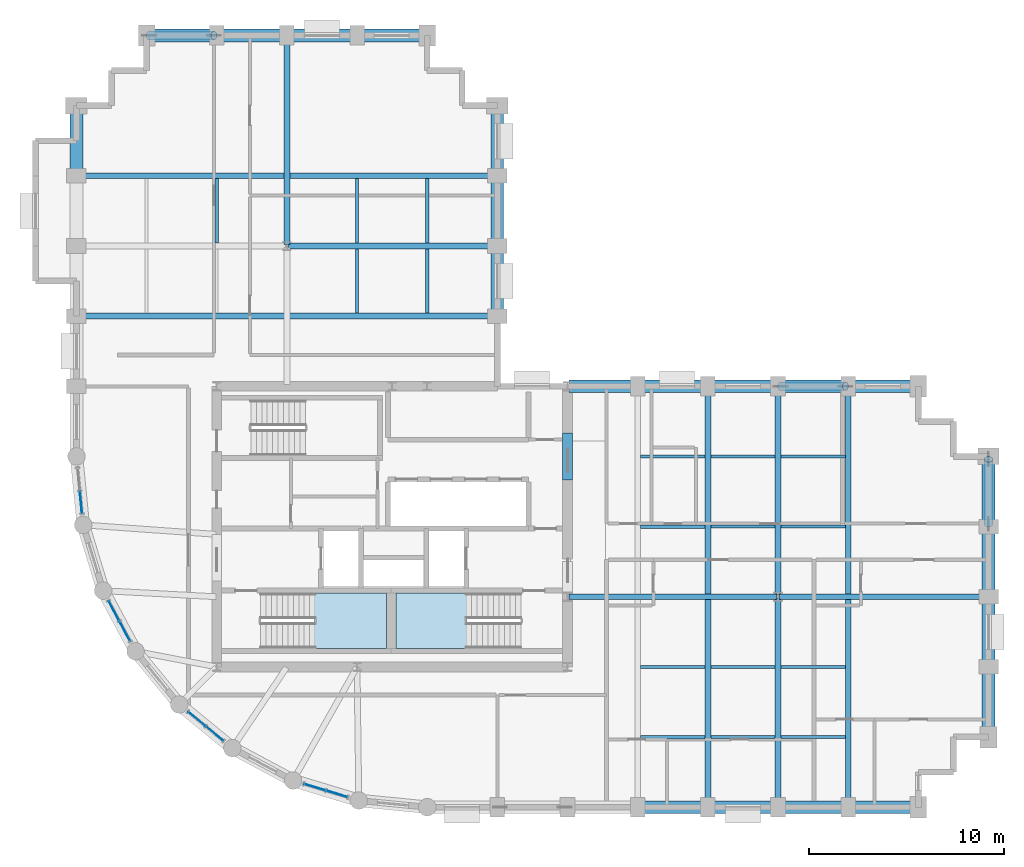
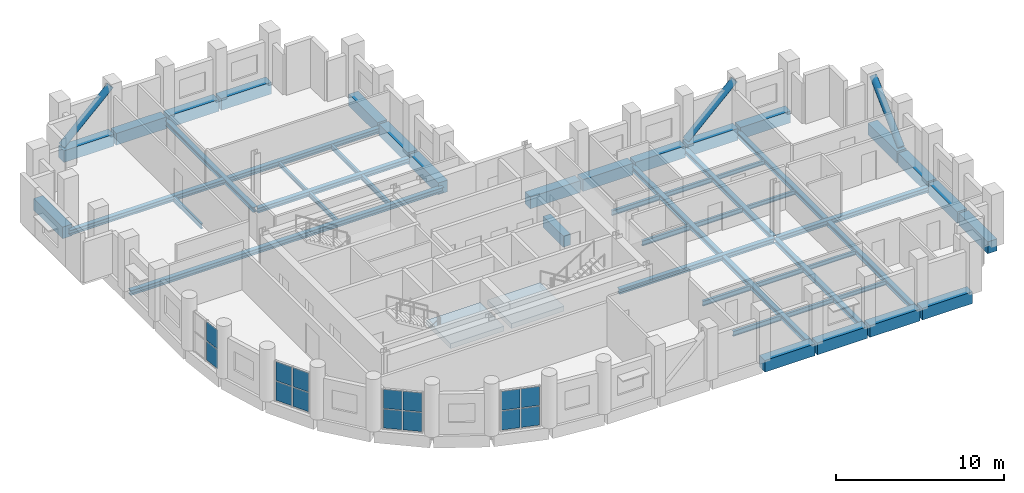
# One storey, part 6 of 14: 49 beams, 14 plates, 3 members, 2 slabs, 6 elements without a shape of their own.
"""IFC4 building model written with IfcOpenShell, lengths in metres."""

from ifc_helpers import new_model, si_unit, direction, frame, origin, origin_2d, place, context, subcontext, project, spatial, polyline, rectangle, hollow_circle, i_section, outline, extrude, material, layer, layer_set, material_profile, profile_set, type_object, element, aggregate, save


model = new_model("IFC4")

# Units and contexts
model_context = context("Model", 3, precision=1e-05, world=origin(), true_north=direction((0.0, 1.0)))
body_context = subcontext(model_context, "Body", "Model", "MODEL_VIEW")
ifc_project = project(units=[si_unit("LENGTHUNIT", "METRE"), si_unit("AREAUNIT", "SQUARE_METRE"), si_unit("VOLUMEUNIT", "CUBIC_METRE"), si_unit("PLANEANGLEUNIT", "RADIAN"), si_unit("MASSUNIT", "GRAM", prefix="KILO")], contexts=[model_context])

# Site, building, storey
site_placement = place(None, origin())
site = spatial("IfcSite", under=ifc_project, at=site_placement, CompositionType="ELEMENT")
building_placement = place(site_placement, origin())
building = spatial("IfcBuilding", under=site, at=building_placement, Name="Solnavia Interchange Tower", CompositionType="ELEMENT")
storey_placement = place(building_placement, frame((0.0, 0.0, 158.0)))
storey = spatial("IfcBuildingStorey", under=building, at=storey_placement, Name="L39", CompositionType="ELEMENT", Elevation=158.0)

# Beams
ifc_material_1 = material(Name="Concrete C50/60", Category="concrete")
ifc_material_profile_1 = material_profile(ifc_material_1, rectangle(XDim=0.5, YDim=0.800048828125, at=origin_2d()), Name="RC 500x800")
ifc_profile_set_1 = profile_set([ifc_material_profile_1], Name="Concrete C50/60")
beam_type_1 = type_object("IfcBeamType", Name="Beam-Coupling-RC500x800", PredefinedType="LINTEL", material=ifc_profile_set_1)
beam_1_placement = place(storey_placement, frame((32.39990234375, 20.39990234375, -0.39990234375), z_axis=(0.0, 1.0, 0.0), x_axis=(-1.0, 0.0, 0.0)))
element("IfcBeam", 1, at=beam_1_placement, inside=storey, type_object=beam_type_1, Name="CPB-L39-E2 Core coupling lintel beam", PredefinedType="LINTEL", context=body_context, shape_type="SweptSolid", body=[
    extrude(rectangle(XDim=0.5, YDim=0.800048828125, at=origin_2d()), origin(), (0.0, 0.0, 1.0), 2.400146484375),
])
ifc_material_2 = material(Name="Steel S460", Category="steel")
ifc_material_profile_2 = material_profile(ifc_material_2, i_section(OverallWidth=0.300048828125, OverallDepth=0.360107421875, WebThickness=0.012451171875, FlangeThickness=0.0224609375, FilletRadius=0.027099609375, at=origin_2d()), Name="HEB 360")
ifc_profile_set_2 = profile_set([ifc_material_profile_2], Name="Steel S460")
beam_type_2 = type_object("IfcBeamType", Name="Beam-Girder-HEB360", PredefinedType="BEAM", material=ifc_profile_set_2)
beam_2_placement = place(storey_placement, frame((32.47998046875, 14.39990234375, -0.429931640625), z_axis=(1.0, 0.0, 0.0), x_axis=(0.0, 1.0, 0.0)))
element("IfcBeam", 2, at=beam_2_placement, inside=storey, type_object=beam_type_2, Name="GRD-L39-ES01 East wing spine girder", PredefinedType="BEAM", context=body_context, shape_type="SweptSolid", body=[
    extrude(i_section(OverallWidth=0.300048828125, OverallDepth=0.360107421875, WebThickness=0.012451171875, FlangeThickness=0.0224609375, FilletRadius=0.027099609375, at=origin_2d()), origin(), (0.0, 0.0, 1.0), 10.64013671875),
])
beam_3_placement = place(storey_placement, frame((43.280029296875, 14.39990234375, -0.429931640625), z_axis=(1.0, 0.0, 0.0), x_axis=(0.0, 1.0, 0.0)))
element("IfcBeam", 3, at=beam_3_placement, inside=storey, type_object=beam_type_2, Name="GRD-L39-ES02 East wing spine girder", PredefinedType="BEAM", context=body_context, shape_type="SweptSolid", body=[
    extrude(i_section(OverallWidth=0.300048828125, OverallDepth=0.360107421875, WebThickness=0.012451171875, FlangeThickness=0.0224609375, FilletRadius=0.027099609375, at=origin_2d()), origin(), (0.0, 0.0, 1.0), 10.639892578125),
])
for number, where, z_axis, x_axis, name in (
    (4, (39.60009765625, 3.679931640625, -0.429931640625), (0.0, 1.0, 0.0), (-1.0, 0.0, 0.0), "GRD-L39-EW04 East wing primary floor girder"),
    (5, (46.800048828125, 3.679931640625, -0.429931640625), (0.0, 1.0, 0.0), (-1.0, 0.0, 0.0), "GRD-L39-EW07 East wing primary floor girder"),
):
    element("IfcBeam", number, at=place(storey_placement, frame(where, z_axis=z_axis, x_axis=x_axis)), inside=storey, type_object=beam_type_2, Name=name, PredefinedType="BEAM", context=body_context, shape_type="SweptSolid", body=[
        extrude(i_section(OverallWidth=0.300048828125, OverallDepth=0.360107421875, WebThickness=0.012451171875, FlangeThickness=0.0224609375, FilletRadius=0.027099609375, at=origin_2d()), origin(), (0.0, 0.0, 1.0), 21.440185546875),
    ])
beam_4_placement = place(storey_placement, frame((18.0, 32.47998046875, -0.429931640625), z_axis=(0.0, 1.0, 0.0), x_axis=(-1.0, 0.0, 0.0)))
element("IfcBeam", 6, at=beam_4_placement, inside=storey, type_object=beam_type_2, Name="GRD-L39-NS09 North wing spine girder", PredefinedType="BEAM", context=body_context, shape_type="SweptSolid", body=[
    extrude(i_section(OverallWidth=0.300048828125, OverallDepth=0.360107421875, WebThickness=0.012451171875, FlangeThickness=0.0224609375, FilletRadius=0.027099609375, at=origin_2d()), origin(), (0.0, 0.0, 1.0), 10.64013671875),
])
for number, where, z_axis, x_axis, name in (
    (7, (7.280029296875, 28.800048828125, -0.429931640625), (1.0, 0.0, 0.0), (0.0, 1.0, 0.0), "GRD-L39-NW10 North wing primary floor girder"),
    (8, (7.280029296875, 36.0, -0.429931640625), (1.0, 0.0, 0.0), (0.0, 1.0, 0.0), "GRD-L39-NW13 North wing primary floor girder"),
):
    element("IfcBeam", number, at=place(storey_placement, frame(where, z_axis=z_axis, x_axis=x_axis)), inside=storey, type_object=beam_type_2, Name=name, PredefinedType="BEAM", context=body_context, shape_type="SweptSolid", body=[
        extrude(i_section(OverallWidth=0.300048828125, OverallDepth=0.360107421875, WebThickness=0.012451171875, FlangeThickness=0.0224609375, FilletRadius=0.027099609375, at=origin_2d()), origin(), (0.0, 0.0, 1.0), 21.43994140625),
    ])
ifc_material_3 = material(Name="Steel S355", Category="steel")
ifc_material_profile_3 = material_profile(ifc_material_3, i_section(OverallWidth=0.14990234375, OverallDepth=0.300048828125, WebThickness=0.007080078125, FlangeThickness=0.0107421875, FilletRadius=0.014892578125, at=origin_2d()), Name="IPE 300")
ifc_profile_set_3 = profile_set([ifc_material_profile_3], Name="Steel S355")
beam_type_3 = type_object("IfcBeamType", Name="Beam-Joist-IPE300", PredefinedType="JOIST", material=ifc_profile_set_3)
for number, where, z_axis, x_axis, name in (
    (9, (43.35009765625, 7.199951171875, -0.39990234375), (1.0, 0.0, 0.0), (0.0, 1.0, 0.0), "JST-L39-E03 East wing secondary joist"),
    (10, (43.35009765625, 10.800048828125, -0.39990234375), (1.0, 0.0, 0.0), (0.0, 1.0, 0.0), "JST-L39-E06 East wing secondary joist"),
    (11, (43.35009765625, 18.0, -0.39990234375), (1.0, 0.0, 0.0), (0.0, 1.0, 0.0), "JST-L39-E09 East wing secondary joist"),
    (12, (43.35009765625, 21.60009765625, -0.39990234375), (1.0, 0.0, 0.0), (0.0, 1.0, 0.0), "JST-L39-E12 East wing secondary joist"),
):
    element("IfcBeam", number, at=place(storey_placement, frame(where, z_axis=z_axis, x_axis=x_axis)), inside=storey, type_object=beam_type_3, Name=name, PredefinedType="JOIST", context=body_context, shape_type="SweptSolid", body=[
        extrude(i_section(OverallWidth=0.14990234375, OverallDepth=0.300048828125, WebThickness=0.007080078125, FlangeThickness=0.0107421875, FilletRadius=0.014892578125, at=origin_2d()), origin(), (0.0, 0.0, 1.0), 3.2998046875),
    ])
beam_5_placement = place(storey_placement, frame((21.60009765625, 32.550048828125, -0.39990234375), z_axis=(0.0, 1.0, 0.0), x_axis=(-1.0, 0.0, 0.0)))
element("IfcBeam", 13, at=beam_5_placement, inside=storey, type_object=beam_type_3, Name="JST-L39-N18 North wing secondary joist", PredefinedType="JOIST", context=body_context, shape_type="SweptSolid", body=[
    extrude(i_section(OverallWidth=0.14990234375, OverallDepth=0.300048828125, WebThickness=0.007080078125, FlangeThickness=0.0107421875, FilletRadius=0.014892578125, at=origin_2d()), origin(), (0.0, 0.0, 1.0), 3.300048828125),
])
ifc_material_profile_4 = material_profile(ifc_material_3, i_section(OverallWidth=0.159912109375, OverallDepth=0.330078125, WebThickness=0.007568359375, FlangeThickness=0.011474609375, FilletRadius=0.01806640625, at=origin_2d()), Name="IPE 330")
ifc_profile_set_4 = profile_set([ifc_material_profile_4], Name="Steel S355")
beam_type_4 = type_object("IfcBeamType", Name="Beam-Joist-IPE330", PredefinedType="JOIST", material=ifc_profile_set_4)
for number, where, z_axis, x_axis, name in (
    (14, (39.75, 7.199951171875, -0.4150390625), (1.0, 0.0, 0.0), (0.0, 1.0, 0.0), "JST-L39-E02 East wing secondary joist"),
    (15, (39.75, 10.800048828125, -0.4150390625), (1.0, 0.0, 0.0), (0.0, 1.0, 0.0), "JST-L39-E05 East wing secondary joist"),
    (16, (39.75, 18.0, -0.4150390625), (1.0, 0.0, 0.0), (0.0, 1.0, 0.0), "JST-L39-E08 East wing secondary joist"),
    (17, (39.75, 21.60009765625, -0.4150390625), (1.0, 0.0, 0.0), (0.0, 1.0, 0.0), "JST-L39-E11 East wing secondary joist"),
    (18, (21.60009765625, 28.949951171875, -0.4150390625), (0.0, 1.0, 0.0), (-1.0, 0.0, 0.0), "JST-L39-N17 North wing secondary joist"),
    (19, (25.199951171875, 32.550048828125, -0.4150390625), (0.0, 1.0, 0.0), (-1.0, 0.0, 0.0), "JST-L39-N20 North wing secondary joist"),
):
    element("IfcBeam", number, at=place(storey_placement, frame(where, z_axis=z_axis, x_axis=x_axis)), inside=storey, type_object=beam_type_4, Name=name, PredefinedType="JOIST", context=body_context, shape_type="SweptSolid", body=[
        extrude(i_section(OverallWidth=0.159912109375, OverallDepth=0.330078125, WebThickness=0.007568359375, FlangeThickness=0.011474609375, FilletRadius=0.01806640625, at=origin_2d()), origin(), (0.0, 0.0, 1.0), 3.300048828125),
    ])
ifc_material_profile_5 = material_profile(ifc_material_3, i_section(OverallWidth=0.169921875, OverallDepth=0.360107421875, WebThickness=0.008056640625, FlangeThickness=0.0126953125, FilletRadius=0.01806640625, at=origin_2d()), Name="IPE 360")
ifc_profile_set_5 = profile_set([ifc_material_profile_5], Name="Steel S355")
beam_type_5 = type_object("IfcBeamType", Name="Beam-Joist-IPE360", PredefinedType="JOIST", material=ifc_profile_set_5)
for number, where, z_axis, x_axis, name in (
    (20, (36.14990234375, 7.199951171875, -0.429931640625), (1.0, 0.0, 0.0), (0.0, 1.0, 0.0), "JST-L39-E01 East wing secondary joist"),
    (21, (36.14990234375, 10.800048828125, -0.429931640625), (1.0, 0.0, 0.0), (0.0, 1.0, 0.0), "JST-L39-E04 East wing secondary joist"),
    (22, (36.14990234375, 18.0, -0.429931640625), (1.0, 0.0, 0.0), (0.0, 1.0, 0.0), "JST-L39-E07 East wing secondary joist"),
    (23, (36.14990234375, 21.60009765625, -0.429931640625), (1.0, 0.0, 0.0), (0.0, 1.0, 0.0), "JST-L39-E10 East wing secondary joist"),
    (24, (14.39990234375, 32.550048828125, -0.429931640625), (0.0, 1.0, 0.0), (-1.0, 0.0, 0.0), "JST-L39-N16 North wing secondary joist"),
    (25, (25.199951171875, 28.949951171875, -0.429931640625), (0.0, 1.0, 0.0), (-1.0, 0.0, 0.0), "JST-L39-N19 North wing secondary joist"),
):
    element("IfcBeam", number, at=place(storey_placement, frame(where, z_axis=z_axis, x_axis=x_axis)), inside=storey, type_object=beam_type_5, Name=name, PredefinedType="JOIST", context=body_context, shape_type="SweptSolid", body=[
        extrude(i_section(OverallWidth=0.169921875, OverallDepth=0.360107421875, WebThickness=0.008056640625, FlangeThickness=0.0126953125, FilletRadius=0.01806640625, at=origin_2d()), origin(), (0.0, 0.0, 1.0), 3.300048828125),
    ])
ifc_material_profile_6 = material_profile(ifc_material_3, i_section(OverallWidth=0.300048828125, OverallDepth=0.35009765625, WebThickness=0.010009765625, FlangeThickness=0.017578125, FilletRadius=0.027099609375, at=origin_2d()), Name="HEA 360")
ifc_profile_set_6 = profile_set([ifc_material_profile_6], Name="Steel S355")
beam_type_6 = type_object("IfcBeamType", Name="Beam-Primary-HEA360", PredefinedType="BEAM", material=ifc_profile_set_6)
for number, where, z_axis, x_axis, name in (
    (26, (43.199951171875, 3.679931640625, -0.425048828125), (0.0, 1.0, 0.0), (-1.0, 0.0, 0.0), "GRD-L39-EW05 East wing primary floor girder"),
    (27, (43.199951171875, 14.47998046875, -0.425048828125), (0.0, 1.0, 0.0), (-1.0, 0.0, 0.0), "GRD-L39-EW06 East wing primary floor girder"),
):
    element("IfcBeam", number, at=place(storey_placement, frame(where, z_axis=z_axis, x_axis=x_axis)), inside=storey, type_object=beam_type_6, Name=name, PredefinedType="BEAM", context=body_context, shape_type="SweptSolid", body=[
        extrude(i_section(OverallWidth=0.300048828125, OverallDepth=0.35009765625, WebThickness=0.010009765625, FlangeThickness=0.017578125, FilletRadius=0.027099609375, at=origin_2d()), origin(), (0.0, 0.0, 1.0), 10.64013671875),
    ])
beam_6_placement = place(storey_placement, frame((18.080078125, 32.39990234375, -0.425048828125), z_axis=(1.0, 0.0, 0.0), x_axis=(0.0, 1.0, 0.0)))
element("IfcBeam", 28, at=beam_6_placement, inside=storey, type_object=beam_type_6, Name="GRD-L39-NW12 North wing primary floor girder", PredefinedType="BEAM", context=body_context, shape_type="SweptSolid", body=[
    extrude(i_section(OverallWidth=0.300048828125, OverallDepth=0.35009765625, WebThickness=0.010009765625, FlangeThickness=0.017578125, FilletRadius=0.027099609375, at=origin_2d()), origin(), (0.0, 0.0, 1.0), 10.639892578125),
])
ifc_material_profile_7 = material_profile(ifc_material_1, rectangle(XDim=0.64990234375, YDim=0.85009765625, at=origin_2d()), Name="RC 650x850")
ifc_profile_set_7 = profile_set([ifc_material_profile_7], Name="Concrete C50/60")
beam_type_7 = type_object("IfcBeamType", Name="Beam-Spandrel-RC650x850", PredefinedType="SPANDREL", material=ifc_profile_set_7)
beam_7_placement = place(storey_placement, frame((36.080078125, 3.60009765625, -0.425048828125), z_axis=(1.0, 0.0, 0.0), x_axis=(0.0, 1.0, 0.0)))
element("IfcBeam", 29, at=beam_7_placement, inside=storey, type_object=beam_type_7, Name="SPB-L39-12 Framed-tube perimeter spandrel beam", PredefinedType="SPANDREL", context=body_context, shape_type="SweptSolid", body=[
    extrude(rectangle(XDim=0.64990234375, YDim=0.85009765625, at=origin_2d()), origin(), (0.0, 0.0, 1.0), 3.43994140625),
])
beam_8_placement = place(storey_placement, frame((39.679931640625, 3.60009765625, -0.425048828125), z_axis=(1.0, 0.0, 0.0), x_axis=(0.0, 1.0, 0.0)))
element("IfcBeam", 30, at=beam_8_placement, inside=storey, type_object=beam_type_7, Name="SPB-L39-13 Framed-tube perimeter spandrel beam", PredefinedType="SPANDREL", context=body_context, shape_type="SweptSolid", body=[
    extrude(rectangle(XDim=0.64990234375, YDim=0.85009765625, at=origin_2d()), origin(), (0.0, 0.0, 1.0), 3.440185546875),
])
beam_9_placement = place(storey_placement, frame((43.280029296875, 3.60009765625, -0.425048828125), z_axis=(1.0, 0.0, 0.0), x_axis=(0.0, 1.0, 0.0)))
element("IfcBeam", 31, at=beam_9_placement, inside=storey, type_object=beam_type_7, Name="SPB-L39-14 Framed-tube perimeter spandrel beam", PredefinedType="SPANDREL", context=body_context, shape_type="SweptSolid", body=[
    extrude(rectangle(XDim=0.64990234375, YDim=0.85009765625, at=origin_2d()), origin(), (0.0, 0.0, 1.0), 3.43994140625),
])
beam_10_placement = place(storey_placement, frame((46.8798828125, 3.60009765625, -0.425048828125), z_axis=(1.0, 0.0, 0.0), x_axis=(0.0, 1.0, 0.0)))
element("IfcBeam", 32, at=beam_10_placement, inside=storey, type_object=beam_type_7, Name="SPB-L39-15 Framed-tube perimeter spandrel beam", PredefinedType="SPANDREL", context=body_context, shape_type="SweptSolid", body=[
    extrude(rectangle(XDim=0.64990234375, YDim=0.85009765625, at=origin_2d()), origin(), (0.0, 0.0, 1.0), 3.440185546875),
])
beam_11_placement = place(storey_placement, frame((54.0, 7.280029296875, -0.425048828125), z_axis=(0.0, 1.0, 0.0), x_axis=(-1.0, 0.0, 0.0)))
element("IfcBeam", 33, at=beam_11_placement, inside=storey, type_object=beam_type_7, Name="SPB-L39-16 Framed-tube perimeter spandrel beam", PredefinedType="SPANDREL", context=body_context, shape_type="SweptSolid", body=[
    extrude(rectangle(XDim=0.64990234375, YDim=0.85009765625, at=origin_2d()), origin(), (0.0, 0.0, 1.0), 3.43994140625),
])
beam_12_placement = place(storey_placement, frame((54.0, 10.8798828125, -0.425048828125), z_axis=(0.0, 1.0, 0.0), x_axis=(-1.0, 0.0, 0.0)))
element("IfcBeam", 34, at=beam_12_placement, inside=storey, type_object=beam_type_7, Name="SPB-L39-17 Framed-tube perimeter spandrel beam", PredefinedType="SPANDREL", context=body_context, shape_type="SweptSolid", body=[
    extrude(rectangle(XDim=0.64990234375, YDim=0.85009765625, at=origin_2d()), origin(), (0.0, 0.0, 1.0), 3.440185546875),
])
for number, where, z_axis, x_axis, name in (
    (35, (54.0, 14.47998046875, -0.425048828125), (0.0, 1.0, 0.0), (-1.0, 0.0, 0.0), "SPB-L39-18 Framed-tube perimeter spandrel beam"),
    (36, (54.0, 18.080078125, -0.425048828125), (0.0, 1.0, 0.0), (-1.0, 0.0, 0.0), "SPB-L39-19 Framed-tube perimeter spandrel beam"),
):
    element("IfcBeam", number, at=place(storey_placement, frame(where, z_axis=z_axis, x_axis=x_axis)), inside=storey, type_object=beam_type_7, Name=name, PredefinedType="SPANDREL", context=body_context, shape_type="SweptSolid", body=[
        extrude(rectangle(XDim=0.64990234375, YDim=0.85009765625, at=origin_2d()), origin(), (0.0, 0.0, 1.0), 3.43994140625),
    ])
beam_13_placement = place(storey_placement, frame((50.320068359375, 25.199951171875, -0.425048828125), z_axis=(-1.0, 0.0, 0.0), x_axis=(0.0, -1.0, 0.0)))
element("IfcBeam", 37, at=beam_13_placement, inside=storey, type_object=beam_type_7, Name="SPB-L39-20 Framed-tube perimeter spandrel beam", PredefinedType="SPANDREL", context=body_context, shape_type="SweptSolid", body=[
    extrude(rectangle(XDim=0.64990234375, YDim=0.85009765625, at=origin_2d()), origin(), (0.0, 0.0, 1.0), 3.440185546875),
])
beam_14_placement = place(storey_placement, frame((46.719970703125, 25.199951171875, -0.425048828125), z_axis=(-1.0, 0.0, 0.0), x_axis=(0.0, -1.0, 0.0)))
element("IfcBeam", 38, at=beam_14_placement, inside=storey, type_object=beam_type_7, Name="SPB-L39-21 Framed-tube perimeter spandrel beam", PredefinedType="SPANDREL", context=body_context, shape_type="SweptSolid", body=[
    extrude(rectangle(XDim=0.64990234375, YDim=0.85009765625, at=origin_2d()), origin(), (0.0, 0.0, 1.0), 3.43994140625),
])
beam_15_placement = place(storey_placement, frame((43.1201171875, 25.199951171875, -0.425048828125), z_axis=(-1.0, 0.0, 0.0), x_axis=(0.0, -1.0, 0.0)))
element("IfcBeam", 39, at=beam_15_placement, inside=storey, type_object=beam_type_7, Name="SPB-L39-22 Framed-tube perimeter spandrel beam", PredefinedType="SPANDREL", context=body_context, shape_type="SweptSolid", body=[
    extrude(rectangle(XDim=0.64990234375, YDim=0.85009765625, at=origin_2d()), origin(), (0.0, 0.0, 1.0), 3.440185546875),
])
for number, where, z_axis, x_axis, name in (
    (40, (39.52001953125, 25.199951171875, -0.425048828125), (-1.0, 0.0, 0.0), (0.0, -1.0, 0.0), "SPB-L39-23 Framed-tube perimeter spandrel beam"),
    (41, (35.919921875, 25.199951171875, -0.425048828125), (-1.0, 0.0, 0.0), (0.0, -1.0, 0.0), "SPB-L39-24 Framed-tube perimeter spandrel beam"),
):
    element("IfcBeam", number, at=place(storey_placement, frame(where, z_axis=z_axis, x_axis=x_axis)), inside=storey, type_object=beam_type_7, Name=name, PredefinedType="SPANDREL", context=body_context, shape_type="SweptSolid", body=[
        extrude(rectangle(XDim=0.64990234375, YDim=0.85009765625, at=origin_2d()), origin(), (0.0, 0.0, 1.0), 3.43994140625),
    ])
beam_16_placement = place(storey_placement, frame((28.800048828125, 28.8798828125, -0.425048828125), z_axis=(0.0, 1.0, 0.0), x_axis=(-1.0, 0.0, 0.0)))
element("IfcBeam", 42, at=beam_16_placement, inside=storey, type_object=beam_type_7, Name="SPB-L39-25 Framed-tube perimeter spandrel beam", PredefinedType="SPANDREL", context=body_context, shape_type="SweptSolid", body=[
    extrude(rectangle(XDim=0.64990234375, YDim=0.85009765625, at=origin_2d()), origin(), (0.0, 0.0, 1.0), 3.440185546875),
])
for number, where, z_axis, x_axis, name in (
    (43, (28.800048828125, 32.47998046875, -0.425048828125), (0.0, 1.0, 0.0), (-1.0, 0.0, 0.0), "SPB-L39-26 Framed-tube perimeter spandrel beam"),
    (44, (28.800048828125, 36.080078125, -0.425048828125), (0.0, 1.0, 0.0), (-1.0, 0.0, 0.0), "SPB-L39-27 Framed-tube perimeter spandrel beam"),
):
    element("IfcBeam", number, at=place(storey_placement, frame(where, z_axis=z_axis, x_axis=x_axis)), inside=storey, type_object=beam_type_7, Name=name, PredefinedType="SPANDREL", context=body_context, shape_type="SweptSolid", body=[
        extrude(rectangle(XDim=0.64990234375, YDim=0.85009765625, at=origin_2d()), origin(), (0.0, 0.0, 1.0), 3.43994140625),
    ])
beam_17_placement = place(storey_placement, frame((25.1201171875, 43.199951171875, -0.425048828125), z_axis=(-1.0, 0.0, 0.0), x_axis=(0.0, -1.0, 0.0)))
element("IfcBeam", 45, at=beam_17_placement, inside=storey, type_object=beam_type_7, Name="SPB-L39-28 Framed-tube perimeter spandrel beam", PredefinedType="SPANDREL", context=body_context, shape_type="SweptSolid", body=[
    extrude(rectangle(XDim=0.64990234375, YDim=0.85009765625, at=origin_2d()), origin(), (0.0, 0.0, 1.0), 3.440185546875),
])
for number, where, z_axis, x_axis, name in (
    (46, (21.52001953125, 43.199951171875, -0.425048828125), (-1.0, 0.0, 0.0), (0.0, -1.0, 0.0), "SPB-L39-29 Framed-tube perimeter spandrel beam"),
    (47, (17.919921875, 43.199951171875, -0.425048828125), (-1.0, 0.0, 0.0), (0.0, -1.0, 0.0), "SPB-L39-30 Framed-tube perimeter spandrel beam"),
):
    element("IfcBeam", number, at=place(storey_placement, frame(where, z_axis=z_axis, x_axis=x_axis)), inside=storey, type_object=beam_type_7, Name=name, PredefinedType="SPANDREL", context=body_context, shape_type="SweptSolid", body=[
        extrude(rectangle(XDim=0.64990234375, YDim=0.85009765625, at=origin_2d()), origin(), (0.0, 0.0, 1.0), 3.43994140625),
    ])
beam_18_placement = place(storey_placement, frame((14.320068359375, 43.199951171875, -0.425048828125), z_axis=(-1.0, 0.0, 0.0), x_axis=(0.0, -1.0, 0.0)))
element("IfcBeam", 48, at=beam_18_placement, inside=storey, type_object=beam_type_7, Name="SPB-L39-31 Framed-tube perimeter spandrel beam", PredefinedType="SPANDREL", context=body_context, shape_type="SweptSolid", body=[
    extrude(rectangle(XDim=0.64990234375, YDim=0.85009765625, at=origin_2d()), origin(), (0.0, 0.0, 1.0), 3.440185546875),
])
beam_19_placement = place(storey_placement, frame((7.199951171875, 39.52001953125, -0.425048828125), z_axis=(0.0, -1.0, 0.0), x_axis=(1.0, 0.0, 0.0)))
element("IfcBeam", 49, at=beam_19_placement, inside=storey, type_object=beam_type_7, Name="SPB-L39-32 Framed-tube perimeter spandrel beam", PredefinedType="SPANDREL", context=body_context, shape_type="SweptSolid", body=[
    extrude(rectangle(XDim=0.64990234375, YDim=0.85009765625, at=origin_2d()), origin(), (0.0, 0.0, 1.0), 3.43994140625),
])

# Members
ifc_material_profile_8 = material_profile(ifc_material_2, hollow_circle(Radius=0.228515625, WallThickness=0.02001953125, at=origin_2d()), Name="CHS 457x20")
ifc_profile_set_8 = profile_set([ifc_material_profile_8], Name="Steel S460")
member_type = type_object("IfcMemberType", Name="Brace-Perim-CHS457", PredefinedType="BRACE", material=ifc_profile_set_8)
for number, where, z_axis, x_axis, name in (
    (50, (54.0, 18.139892578125, 0.179931640625), (0.0, 0.721070427335, 0.692861774688), (-1.0, 0.0, 0.0), "BRC-L39-02 Perimeter tube diagonal brace"),
    (51, (10.93994140625, 43.199951171875, 0.179931640625), (0.721070427335, 0.0, 0.692861774688), (0.0, 1.0, 0.0), "BRC-L39-03 Perimeter tube diagonal brace"),
    (52, (43.340087890625, 25.199951171875, 0.179931640625), (0.721044971413, 0.0, 0.692888266028), (0.0, 1.0, 0.0), "BRC-L39-04 Perimeter tube diagonal brace"),
):
    element("IfcMember", number, at=place(storey_placement, frame(where, z_axis=z_axis, x_axis=x_axis)), inside=storey, type_object=member_type, Name=name, PredefinedType="BRACE", context=body_context, shape_type="SweptSolid", body=[
        extrude(hollow_circle(Radius=0.228515625, WallThickness=0.02001953125, at=origin_2d()), origin(), (0.0, 0.0, 1.0), 4.604248046875),
    ])

# Curtain wall, plates
ifc_material_4 = material(Name="Aluminium Alloy 6063-T6", Category="aluminium")
ifc_layer_1 = layer(ifc_material_4, 0.239990234375)
ifc_layer_set_1 = layer_set([ifc_layer_1], Name="Aluminium Alloy 6063-T6")
curtain_wall_type = type_object("IfcCurtainWallType", Name="CurtainWall-Drum-CTW2", PredefinedType="NOTDEFINED", material=ifc_layer_set_1)
curtain_wall_1_placement = place(storey_placement, origin())
curtain_wall_1 = element("IfcCurtainWall", 53, at=curtain_wall_1_placement, inside=storey, type_object=curtain_wall_type, Name="CTW-L39-D51 CTW-2 curtain wall", PredefinedType="NOTDEFINED")
ifc_material_5 = material(Name="Double-Glazed Low-E IGU Glass", Category="glass")
ifc_layer_2 = layer(ifc_material_5, 0.031982421875)
ifc_layer_set_2 = layer_set([ifc_layer_2], Name="Double-Glazed Low-E IGU Glass")
plate_type = type_object("IfcPlateType", Name="CW-Panel-Solar-32", PredefinedType="CURTAIN_PANEL", material=ifc_layer_set_2)
plate_1_placement = place(storey_placement, frame((7.431396484375, 19.252197265625, 0.06494140625), z_axis=(0.0, 0.0, 1.0), x_axis=(0.098043088306, -0.995182170678, 0.0)))
plate_1 = element("IfcPlate", 54, at=plate_1_placement, type_object=plate_type, Name="CTW-2 panel 2.1", PredefinedType="CURTAIN_PANEL", context=body_context, shape_type="SweptSolid", body=[
    extrude(rectangle(XDim=1.114501953125, YDim=0.031982421875, at=origin_2d()), origin(), (0.0, 0.0, 1.0), 1.367431640625),
])
plate_2_placement = place(storey_placement, frame((7.431396484375, 19.252197265625, 1.49755859375), z_axis=(0.0, 0.0, 1.0), x_axis=(0.098043088306, -0.995182170678, 0.0)))
plate_2 = element("IfcPlate", 55, at=plate_2_placement, type_object=plate_type, Name="CTW-2 panel 2.2", PredefinedType="CURTAIN_PANEL", context=body_context, shape_type="SweptSolid", body=[
    extrude(rectangle(XDim=1.114501953125, YDim=0.031982421875, at=origin_2d()), origin(), (0.0, 0.0, 1.0), 1.367431640625),
])
aggregate(curtain_wall_1, [plate_1, plate_2])

curtain_wall_2_placement = place(storey_placement, origin())
curtain_wall_2 = element("IfcCurtainWall", 56, at=curtain_wall_2_placement, inside=storey, type_object=curtain_wall_type, Name="CTW-L39-D53 CTW-2 curtain wall", PredefinedType="NOTDEFINED")
plate_3_placement = place(storey_placement, frame((9.12158203125, 13.680419921875, 0.06494140625), z_axis=(0.0, 0.0, 1.0), x_axis=(0.471560876964, -0.881833509976, 0.0)))
plate_3 = element("IfcPlate", 57, at=plate_3_placement, type_object=plate_type, Name="CTW-2 panel 1.1", PredefinedType="CURTAIN_PANEL", context=body_context, shape_type="SweptSolid", body=[
    extrude(rectangle(XDim=1.114501953125, YDim=0.031982421875, at=origin_2d()), origin(), (0.0, 0.0, 1.0), 1.367431640625),
])
plate_4_placement = place(storey_placement, frame((9.12158203125, 13.680419921875, 1.49755859375), z_axis=(0.0, 0.0, 1.0), x_axis=(0.471560876964, -0.881833509976, 0.0)))
plate_4 = element("IfcPlate", 58, at=plate_4_placement, type_object=plate_type, Name="CTW-2 panel 1.2", PredefinedType="CURTAIN_PANEL", context=body_context, shape_type="SweptSolid", body=[
    extrude(rectangle(XDim=1.114501953125, YDim=0.031982421875, at=origin_2d()), origin(), (0.0, 0.0, 1.0), 1.367431640625),
])
plate_5_placement = place(storey_placement, frame((9.682373046875, 12.631591796875, 0.06494140625), z_axis=(0.0, 0.0, 1.0), x_axis=(0.471560876964, -0.881833509976, 0.0)))
plate_5 = element("IfcPlate", 59, at=plate_5_placement, type_object=plate_type, Name="CTW-2 panel 2.1", PredefinedType="CURTAIN_PANEL", context=body_context, shape_type="SweptSolid", body=[
    extrude(rectangle(XDim=1.114501953125, YDim=0.031982421875, at=origin_2d()), origin(), (0.0, 0.0, 1.0), 1.367431640625),
])
plate_6_placement = place(storey_placement, frame((9.682373046875, 12.631591796875, 1.49755859375), z_axis=(0.0, 0.0, 1.0), x_axis=(0.471560876964, -0.881833509976, 0.0)))
plate_6 = element("IfcPlate", 60, at=plate_6_placement, type_object=plate_type, Name="CTW-2 panel 2.2", PredefinedType="CURTAIN_PANEL", context=body_context, shape_type="SweptSolid", body=[
    extrude(rectangle(XDim=1.114501953125, YDim=0.031982421875, at=origin_2d()), origin(), (0.0, 0.0, 1.0), 1.367431640625),
])
aggregate(curtain_wall_2, [plate_3, plate_4, plate_5, plate_6])

curtain_wall_3_placement = place(storey_placement, origin())
curtain_wall_3 = element("IfcCurtainWall", 61, at=curtain_wall_3_placement, inside=storey, type_object=curtain_wall_type, Name="CTW-L39-D55 CTW-2 curtain wall", PredefinedType="NOTDEFINED")
plate_7_placement = place(storey_placement, frame((13.376220703125, 8.130126953125, 0.06494140625), z_axis=(0.0, 0.0, 1.0), x_axis=(0.773103093557, -0.634280384951, 0.0)))
plate_7 = element("IfcPlate", 62, at=plate_7_placement, type_object=plate_type, Name="CTW-2 panel 1.1", PredefinedType="CURTAIN_PANEL", context=body_context, shape_type="SweptSolid", body=[
    extrude(rectangle(XDim=1.1142578125, YDim=0.031982421875, at=origin_2d()), origin(), (0.0, 0.0, 1.0), 1.367431640625),
])
plate_8_placement = place(storey_placement, frame((13.376220703125, 8.130126953125, 1.49755859375), z_axis=(0.0, 0.0, 1.0), x_axis=(0.773103093557, -0.634280384951, 0.0)))
plate_8 = element("IfcPlate", 63, at=plate_8_placement, type_object=plate_type, Name="CTW-2 panel 1.2", PredefinedType="CURTAIN_PANEL", context=body_context, shape_type="SweptSolid", body=[
    extrude(rectangle(XDim=1.1142578125, YDim=0.031982421875, at=origin_2d()), origin(), (0.0, 0.0, 1.0), 1.367431640625),
])
plate_9_placement = place(storey_placement, frame((14.295654296875, 7.375732421875, 0.06494140625), z_axis=(0.0, 0.0, 1.0), x_axis=(0.773103093557, -0.634280384951, 0.0)))
plate_9 = element("IfcPlate", 64, at=plate_9_placement, type_object=plate_type, Name="CTW-2 panel 2.1", PredefinedType="CURTAIN_PANEL", context=body_context, shape_type="SweptSolid", body=[
    extrude(rectangle(XDim=1.1142578125, YDim=0.031982421875, at=origin_2d()), origin(), (0.0, 0.0, 1.0), 1.367431640625),
])
plate_10_placement = place(storey_placement, frame((14.295654296875, 7.375732421875, 1.49755859375), z_axis=(0.0, 0.0, 1.0), x_axis=(0.773103093557, -0.634280384951, 0.0)))
plate_10 = element("IfcPlate", 65, at=plate_10_placement, type_object=plate_type, Name="CTW-2 panel 2.2", PredefinedType="CURTAIN_PANEL", context=body_context, shape_type="SweptSolid", body=[
    extrude(rectangle(XDim=1.1142578125, YDim=0.031982421875, at=origin_2d()), origin(), (0.0, 0.0, 1.0), 1.367431640625),
])
aggregate(curtain_wall_3, [plate_7, plate_8, plate_9, plate_10])

curtain_wall_4_placement = place(storey_placement, origin())
curtain_wall_4 = element("IfcCurtainWall", 66, at=curtain_wall_4_placement, inside=storey, type_object=curtain_wall_type, Name="CTW-L39-D57 CTW-2 curtain wall", PredefinedType="NOTDEFINED")
plate_11_placement = place(storey_placement, frame((19.43115234375, 4.630615234375, 0.06494140625), z_axis=(0.0, 0.0, 1.0), x_axis=(0.956942072515, -0.290278951786, 0.0)))
plate_11 = element("IfcPlate", 67, at=plate_11_placement, type_object=plate_type, Name="CTW-2 panel 1.1", PredefinedType="CURTAIN_PANEL", context=body_context, shape_type="SweptSolid", body=[
    extrude(rectangle(XDim=1.114013671875, YDim=0.031982421875, at=origin_2d()), origin(), (0.0, 0.0, 1.0), 1.367431640625),
])
plate_12_placement = place(storey_placement, frame((19.43115234375, 4.630615234375, 1.49755859375), z_axis=(0.0, 0.0, 1.0), x_axis=(0.956942072515, -0.290278951786, 0.0)))
plate_12 = element("IfcPlate", 68, at=plate_12_placement, type_object=plate_type, Name="CTW-2 panel 1.2", PredefinedType="CURTAIN_PANEL", context=body_context, shape_type="SweptSolid", body=[
    extrude(rectangle(XDim=1.114013671875, YDim=0.031982421875, at=origin_2d()), origin(), (0.0, 0.0, 1.0), 1.367431640625),
])
plate_13_placement = place(storey_placement, frame((20.56884765625, 4.285400390625, 0.06494140625), z_axis=(0.0, 0.0, 1.0), x_axis=(0.956942072515, -0.290278951786, 0.0)))
plate_13 = element("IfcPlate", 69, at=plate_13_placement, type_object=plate_type, Name="CTW-2 panel 2.1", PredefinedType="CURTAIN_PANEL", context=body_context, shape_type="SweptSolid", body=[
    extrude(rectangle(XDim=1.114013671875, YDim=0.031982421875, at=origin_2d()), origin(), (0.0, 0.0, 1.0), 1.367431640625),
])
plate_14_placement = place(storey_placement, frame((20.56884765625, 4.285400390625, 1.49755859375), z_axis=(0.0, 0.0, 1.0), x_axis=(0.956942072515, -0.290278951786, 0.0)))
plate_14 = element("IfcPlate", 70, at=plate_14_placement, type_object=plate_type, Name="CTW-2 panel 2.2", PredefinedType="CURTAIN_PANEL", context=body_context, shape_type="SweptSolid", body=[
    extrude(rectangle(XDim=1.114013671875, YDim=0.031982421875, at=origin_2d()), origin(), (0.0, 0.0, 1.0), 1.367431640625),
])
aggregate(curtain_wall_4, [plate_11, plate_12, plate_13, plate_14])

# Stair, slab
ifc_material_6 = material(Name="Concrete C40/50", Category="concrete")
stair_type = type_object("IfcStairType", Name="Stair-Dogleg-RC", PredefinedType="HALF_TURN_STAIR", material=ifc_material_6)
stair_1_placement = place(storey_placement, origin())
stair_1 = element("IfcStair", 71, at=stair_1_placement, inside=storey, type_object=stair_type, Name="L39 Core exit stair 1", PredefinedType="HALF_TURN_STAIR")
ifc_layer_3 = layer(ifc_material_6, 0.35009765625)
ifc_layer_set_3 = layer_set([ifc_layer_3], Name="Concrete C40/50")
slab_type = type_object("IfcSlabType", Name="Slab-StairLanding-350", PredefinedType="LANDING", material=ifc_layer_set_3)
slab_1_placement = place(storey_placement, frame((0.0, 0.0, 1.550048828125)))
slab_1 = element("IfcSlab", 72, at=slab_1_placement, type_object=slab_type, Name="ST-1 landing 1", PredefinedType="LANDING", context=body_context, shape_type="SweptSolid", body=[
    extrude(outline(polyline([(19.427978515625, 11.75), (23.10009765625, 11.75), (23.10009765625, 14.590087890625), (19.427978515625, 14.590087890625), (19.427978515625, 11.75)])), origin(), (0.0, 0.0, 1.0), 0.349853515625),
])
aggregate(stair_1, [slab_1])

stair_2_placement = place(storey_placement, origin())
stair_2 = element("IfcStair", 73, at=stair_2_placement, inside=storey, type_object=stair_type, Name="L39 Core exit stair 2", PredefinedType="HALF_TURN_STAIR")
slab_2_placement = place(storey_placement, frame((0.0, 0.0, 1.550048828125)))
slab_2 = element("IfcSlab", 74, at=slab_2_placement, type_object=slab_type, Name="ST-2 landing 1", PredefinedType="LANDING", context=body_context, shape_type="SweptSolid", body=[
    extrude(outline(polyline([(23.60009765625, 11.75), (27.221923828125, 11.75), (27.221923828125, 14.590087890625), (23.60009765625, 14.590087890625), (23.60009765625, 11.75)])), origin(), (0.0, 0.0, 1.0), 0.349853515625),
])
aggregate(stair_2, [slab_2])

save(model, "model.ifc")
